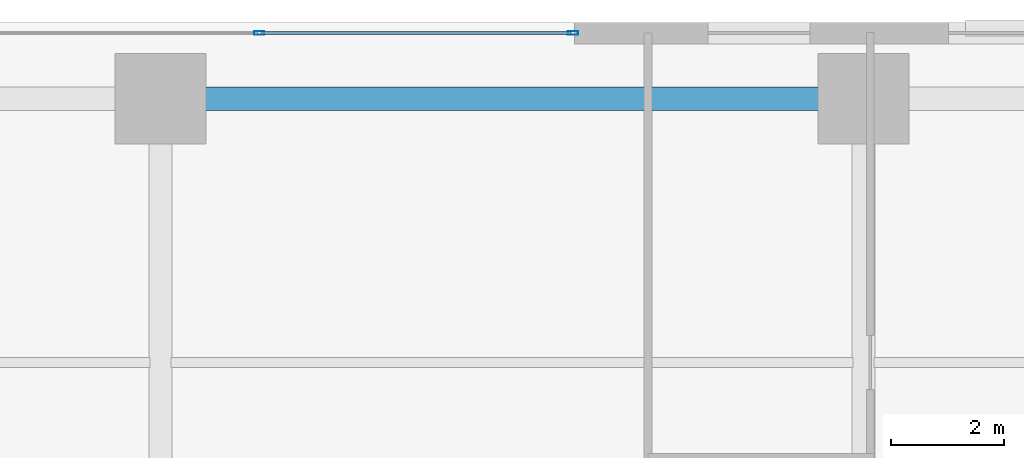
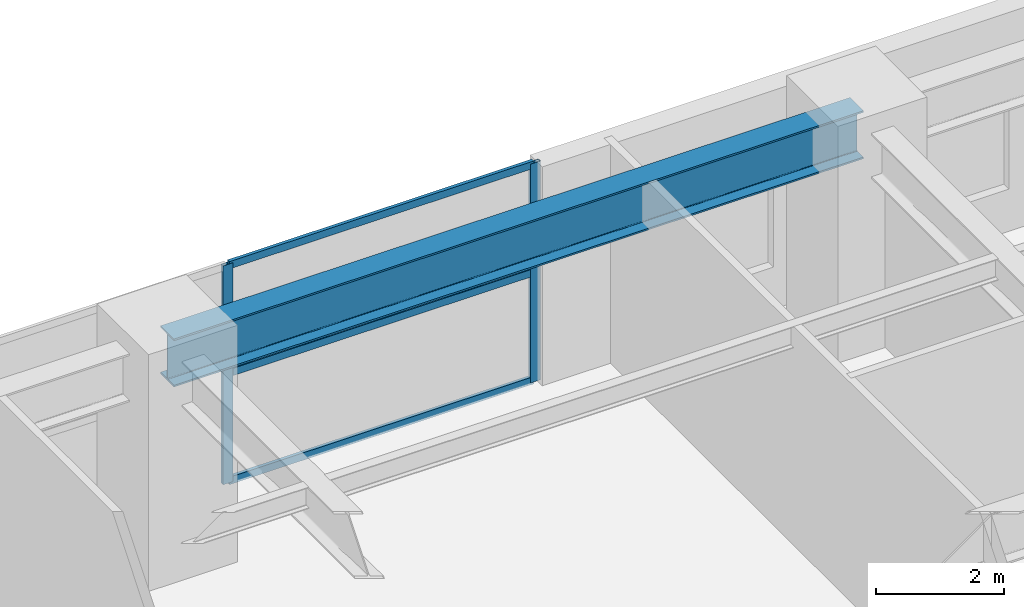
# One storey, part 8 of 26: 5 members, 1 beam, 1 element without a shape of its own.
"""IFC4 building model written with IfcOpenShell, lengths in metres."""

import ifcopenshell
import ifcopenshell.guid

model = None  # the IFC model being written
_history = None  # IfcOwnerHistory: only IFC2X3 demands one
_inside = {}  # id of a spatial element -> (the spatial element, [elements in it])
_under = {}  # id of a project, library or spatial element -> (it, [spatial elements below it])
_declared = {}  # id of a project -> (the project, [libraries it declares])
_typed = {}  # id of a type object -> (the type object, [elements of that type])
_made_of = {}  # id of a material, layer set ... -> (it, [elements and type objects made of it])


def new_model(schema):
    """Start an empty IFC model of exactly this schema.

    Asked for "IFC4X3", IfcOpenShell would pick the latest addendum, in which some entities
    have other attributes; the version numbers below select the first issue.
    IFC2X3 requires an IfcOwnerHistory on every rooted entity: one is made here for all.
    """
    global model, _history
    if schema == "IFC4X3":
        model = ifcopenshell.file(schema_version=(4, 3, 0, 0))
    else:
        model = ifcopenshell.file(schema=schema)
    _inside.clear()
    _under.clear()
    _declared.clear()
    _typed.clear()
    _made_of.clear()
    _history = None
    if model.schema == "IFC2X3":
        org = make("IfcOrganization", Name="unknown")
        user = make(
            "IfcPersonAndOrganization",
            ThePerson=make("IfcPerson", FamilyName="unknown"),
            TheOrganization=org,
        )
        app = make(
            "IfcApplication",
            ApplicationDeveloper=org,
            Version="unknown",
            ApplicationFullName="unknown",
            ApplicationIdentifier="unknown",
        )
        _history = make(
            "IfcOwnerHistory",
            OwningUser=user,
            OwningApplication=app,
            ChangeAction="ADDED",
            CreationDate=0,
        )
    return model


def make(cls, **values):
    """One entity of the class cls with the attributes given. An attribute that is None is left unset."""
    return model.create_entity(
        cls, **{name: value for name, value in values.items() if value is not None}
    )


def rooted(cls, **values):
    """An entity with a GlobalId (a new one), such as an element, a storey or a relation."""
    return make(cls, GlobalId=ifcopenshell.guid.new(), OwnerHistory=_history, **values)


def si_unit(unit_type, name, prefix=None):
    """IfcSIUnit, for example si_unit("LENGTHUNIT", "METRE", prefix="MILLI")."""
    return make("IfcSIUnit", UnitType=unit_type, Prefix=prefix, Name=name)


def assignment(units):
    """IfcUnitAssignment: the units of a project."""
    return None if units is None else make("IfcUnitAssignment", Units=units)


def point(xyz):
    """IfcCartesianPoint."""
    return None if xyz is None else make("IfcCartesianPoint", Coordinates=xyz)


def direction(xyz):
    """IfcDirection."""
    return None if xyz is None else make("IfcDirection", DirectionRatios=xyz)


def frame(location, z_axis=None, x_axis=None):
    """IfcAxis2Placement3D, a coordinate frame: its origin and axes. An axis left out is left unset."""
    return make(
        "IfcAxis2Placement3D",
        Location=point(location),
        Axis=direction(z_axis),
        RefDirection=direction(x_axis),
    )


def frame_2d(location, x_axis=None):
    """IfcAxis2Placement2D, a coordinate frame in the plane: its origin and x axis."""
    return make(
        "IfcAxis2Placement2D", Location=point(location), RefDirection=direction(x_axis)
    )


def origin():
    """The frame at (0, 0, 0) with its axes left unset."""
    return frame((0.0, 0.0, 0.0))


def origin_2d():
    """The frame at (0, 0) in the plane with its x axis left unset."""
    return frame_2d((0.0, 0.0))


def place(relative_to, where):
    """IfcLocalPlacement: puts the frame where relative to a parent placement (None: the world)."""
    return make(
        "IfcLocalPlacement", PlacementRelTo=relative_to, RelativePlacement=where
    )


def context(
    kind, dimensions, precision=None, world=None, true_north=None, identifier=None
):
    """IfcGeometricRepresentationContext, for example the 3D "Model" context."""
    return make(
        "IfcGeometricRepresentationContext",
        ContextIdentifier=identifier,
        ContextType=kind,
        CoordinateSpaceDimension=dimensions,
        Precision=precision,
        WorldCoordinateSystem=world,
        TrueNorth=true_north,
    )


def subcontext(parent, identifier, kind, view, scale=None):
    """IfcGeometricRepresentationSubContext, for example "Body" below "Model"."""
    return make(
        "IfcGeometricRepresentationSubContext",
        ContextIdentifier=identifier,
        ContextType=kind,
        ParentContext=parent,
        TargetScale=scale,
        TargetView=view,
    )


def project(units=None, contexts=None):
    """IfcProject with its units and contexts."""
    return rooted(
        "IfcProject",
        Name="project",
        RepresentationContexts=contexts,
        UnitsInContext=assignment(units),
    )


def spatial(cls, under=None, at=None, **own):
    """A site, building, storey or space (cls), placed at a placement, below another one or the project."""
    s = rooted(cls, ObjectPlacement=at, **own)
    if under is not None:
        _under.setdefault(under.id(), (under, []))[1].append(s)
    return s


def profile(cls, at=None, kind="AREA", **sizes):
    """A parametric profile (cls). Its sizes go by their IFC names, for example OverallWidth=200.0."""
    return make(cls, ProfileType=kind, Position=at, **sizes)


def hollow_rectangle(**sizes):
    """IfcRectangleHollowProfileDef."""
    return profile("IfcRectangleHollowProfileDef", **sizes)


def i_section(**sizes):
    """IfcIShapeProfileDef."""
    return profile("IfcIShapeProfileDef", **sizes)


def extrude(swept, where, along, depth):
    """IfcExtrudedAreaSolid: the profile swept, set in the frame where, extruded along a direction by depth."""
    return make(
        "IfcExtrudedAreaSolid",
        SweptArea=swept,
        Position=where,
        ExtrudedDirection=direction(along),
        Depth=depth,
    )


def shape(context_of_items, identifier, shape_type, items):
    """IfcShapeRepresentation: the items that make up one representation, for example the "Body"."""
    return make(
        "IfcShapeRepresentation",
        ContextOfItems=context_of_items,
        RepresentationIdentifier=identifier,
        RepresentationType=shape_type,
        Items=items,
    )


def source(mapping_origin, context_of_items, identifier, shape_type, items):
    """IfcRepresentationMap: a shape defined once, which mapped items show again and again."""
    return make(
        "IfcRepresentationMap",
        MappingOrigin=mapping_origin,
        MappedRepresentation=shape(context_of_items, identifier, shape_type, items),
    )


def transform(
    local_origin,
    x_axis=None,
    y_axis=None,
    z_axis=None,
    scale=None,
    scale2=None,
    scale3=None,
    uniform=True,
):
    """IfcCartesianTransformationOperator3D, or its non-uniform kind. x_axis, y_axis, z_axis: its Axis1, 2, 3."""
    if uniform:
        return make(
            "IfcCartesianTransformationOperator3D",
            Axis1=direction(x_axis),
            Axis2=direction(y_axis),
            LocalOrigin=point(local_origin),
            Scale=scale,
            Axis3=direction(z_axis),
        )
    return make(
        "IfcCartesianTransformationOperator3DnonUniform",
        Axis1=direction(x_axis),
        Axis2=direction(y_axis),
        LocalOrigin=point(local_origin),
        Scale=scale,
        Axis3=direction(z_axis),
        Scale2=scale2,
        Scale3=scale3,
    )


def mapped(mapping_source, mapping_target):
    """IfcMappedItem: shows the shape of a source again, moved by a transform."""
    return make(
        "IfcMappedItem", MappingSource=mapping_source, MappingTarget=mapping_target
    )


def material(Name=None, Category=None):
    """IfcMaterial."""
    return make("IfcMaterial", Name=Name, Category=Category)


def layer(
    of_material, thickness, ventilated=None, Name=None, Category=None, Priority=None
):
    """IfcMaterialLayer: one layer of a wall or slab, of a material (None: an air gap)."""
    return make(
        "IfcMaterialLayer",
        Material=of_material,
        LayerThickness=thickness,
        IsVentilated=ventilated,
        Name=Name,
        Category=Category,
        Priority=Priority,
    )


def layer_set(layers, Name=None):
    """IfcMaterialLayerSet."""
    return make("IfcMaterialLayerSet", MaterialLayers=layers, LayerSetName=Name)


def material_profile(
    of_material, cross_section, Name=None, Category=None, Priority=None
):
    """IfcMaterialProfile: a cross section and its material."""
    return make(
        "IfcMaterialProfile",
        Name=Name,
        Material=of_material,
        Profile=cross_section,
        Priority=Priority,
        Category=Category,
    )


def profile_set(profiles, Name=None, composite=None):
    """IfcMaterialProfileSet."""
    return make(
        "IfcMaterialProfileSet",
        Name=Name,
        MaterialProfiles=profiles,
        CompositeProfile=composite,
    )


def made_of(thing, what):
    """Note that an element or type object is made of a material, layer set ...; save() writes the relation."""
    if what is not None:
        _made_of.setdefault(what.id(), (what, []))[1].append(thing)
    return thing


def type_object(cls, material=None, **own):
    """A type object (cls), such as IfcWallType, which elements share."""
    return made_of(rooted(cls, **own), material)


def element(
    cls,
    number,
    at=None,
    inside=None,
    cuts=None,
    type_object=None,
    material=None,
    context=None,
    identifier="Body",
    shape_type=None,
    held_by="IfcProductDefinitionShape",
    body=None,
    shapes=None,
    **own,
):
    """One element of the class cls, such as IfcWall. Its Tag is "e" and its number.

    at: its placement. inside: the storey or other place that contains it. cuts: it is an
    opening in that element (IfcRelVoidsElement). A single representation is given by context,
    identifier, shape_type and body (its items); several are given by shapes. held_by: the class
    of the entity that holds the representations. save() writes the other relations.
    """
    e = rooted(cls, Tag="e%d" % number, ObjectPlacement=at, **own)
    if body is not None:
        shapes = [shape(context, identifier, shape_type, body)]
    if shapes is not None:
        e.Representation = make(held_by, Representations=shapes)
    if inside is not None:
        _inside.setdefault(inside.id(), (inside, []))[1].append(e)
    if cuts is not None:
        rooted(
            "IfcRelVoidsElement", RelatingBuildingElement=cuts, RelatedOpeningElement=e
        )
    if type_object is not None:
        _typed.setdefault(type_object.id(), (type_object, []))[1].append(e)
    return made_of(e, material)


def aggregate(whole, parts):
    """IfcRelAggregates: a whole, such as a stair, and the parts it consists of."""
    return rooted("IfcRelAggregates", RelatingObject=whole, RelatedObjects=parts)


def save(model, path):
    """Write the relations noted so far, then the file.

    IfcRelAggregates (storeys below a building ...), IfcRelContainedInSpatialStructure (elements
    in a storey), IfcRelDefinesByType, IfcRelAssociatesMaterial and IfcRelDeclares: one each for
    every whole, place, type object, material and project.
    """
    for whole, parts in _under.values():
        aggregate(whole, parts)
    for where, things in _inside.values():
        rooted(
            "IfcRelContainedInSpatialStructure",
            RelatedElements=things,
            RelatingStructure=where,
        )
    for kind, things in _typed.values():
        rooted("IfcRelDefinesByType", RelatedObjects=things, RelatingType=kind)
    for what, things in _made_of.values():
        rooted("IfcRelAssociatesMaterial", RelatedObjects=things, RelatingMaterial=what)
    for by, libraries in _declared.values():
        rooted("IfcRelDeclares", RelatingContext=by, RelatedDefinitions=libraries)
    model.write(path)


model = new_model("IFC4")

# Units and contexts
model_context = context("Model", 3, precision=1e-05, world=origin(), true_north=direction((0.0, 1.0)))
body_context = subcontext(model_context, "Body", "Model", "MODEL_VIEW")
ifc_project = project(units=[si_unit("LENGTHUNIT", "METRE"), si_unit("AREAUNIT", "SQUARE_METRE"), si_unit("VOLUMEUNIT", "CUBIC_METRE"), si_unit("PLANEANGLEUNIT", "RADIAN"), si_unit("MASSUNIT", "GRAM", prefix="KILO")], contexts=[model_context])

# Site, building, storey
site_placement = place(None, origin())
site = spatial("IfcSite", under=ifc_project, at=site_placement, CompositionType="ELEMENT")
building_placement = place(site_placement, origin())
building = spatial("IfcBuilding", under=site, at=building_placement, Name="Khoralis Quay Care Tower", CompositionType="ELEMENT")
storey_placement = place(building_placement, frame((0.0, 0.0, 4.5)))
storey = spatial("IfcBuildingStorey", under=building, at=storey_placement, Name="L01", CompositionType="ELEMENT", Elevation=4.5)

# Beam
ifc_material_1 = material(Name="Steel S355", Category="steel")
ifc_material_profile_1 = material_profile(ifc_material_1, i_section(OverallWidth=0.41796875, OverallDepth=0.912109375, WebThickness=0.019287109375, FlangeThickness=0.031982421875, FilletRadius=0.02392578125, at=origin_2d()), Name="Steel S355")
ifc_profile_set_1 = profile_set([ifc_material_profile_1], Name="Steel S355")
beam_type = type_object("IfcBeamType", Name="BM-W920X342", PredefinedType="BEAM", material=ifc_profile_set_1)
shared_shape_1 = source(origin(), body_context, "Body", "SweptSolid", [
    extrude(i_section(OverallWidth=0.41796875, OverallDepth=0.912109375, WebThickness=0.019287109375, FlangeThickness=0.031982421875, FilletRadius=0.02392578125, at=origin_2d()), origin(), (0.0, 0.0, 1.0), 12.39990234375),
])
beam_placement = place(storey_placement, frame((34.60009765625, 46.64990234375, 3.7041015625), z_axis=(1.0, 0.0, 0.0), x_axis=(0.0, 1.0, 0.0)))
element("IfcBeam", 1, at=beam_placement, inside=storey, type_object=beam_type, Name="BM-PODX-L01-22", PredefinedType="BEAM", context=body_context, shape_type="MappedRepresentation", body=[
    mapped(shared_shape_1, transform((0.0, 0.0, 0.0), scale=1.0)),
])

# Curtain wall, members
ifc_material_2 = material(Name="Pale anodised aluminium", Category="aluminium")
ifc_layer = layer(ifc_material_2, 0.179931640625)
ifc_layer_set = layer_set([ifc_layer], Name="Pale anodised aluminium")
curtain_wall_type = type_object("IfcCurtainWallType", Name="CW-SYS-Z1", PredefinedType="NOTDEFINED", material=ifc_layer_set)
curtain_wall_placement = place(storey_placement, origin())
curtain_wall = element("IfcCurtainWall", 2, at=curtain_wall_placement, inside=storey, type_object=curtain_wall_type, Name="L01 Unitised Curtain Wall CW-POD-L01-E4", PredefinedType="NOTDEFINED")
ifc_material_profile_2 = material_profile(ifc_material_2, hollow_rectangle(XDim=0.06494140625, YDim=0.179931640625, WallThickness=0.00390625, at=origin_2d()), Name="Pale anodised aluminium")
ifc_profile_set_2 = profile_set([ifc_material_profile_2], Name="Pale anodised aluminium")
member_type_1 = type_object("IfcMemberType", Name="CW-MUL-180", PredefinedType="MULLION", material=ifc_profile_set_2)
shared_shape_2 = source(origin(), body_context, "Body", "SweptSolid", [
    extrude(hollow_rectangle(XDim=0.06494140625, YDim=0.179931640625, WallThickness=0.00390625, at=origin_2d()), origin(), (0.0, 0.0, 1.0), 4.159912109375),
])
member_1_placement = place(storey_placement, frame((41.875, 47.81005859375, 0.0), z_axis=(0.0, 0.0, 1.0), x_axis=(0.0, -1.0, 0.0)))
member_1 = element("IfcMember", 3, at=member_1_placement, type_object=member_type_1, Name="CW1 mullion 1", PredefinedType="MULLION", context=body_context, shape_type="MappedRepresentation", body=[
    mapped(shared_shape_2, transform((0.0, 0.0, 0.0), scale=1.0)),
])
member_2_placement = place(storey_placement, frame((36.343017578125, 47.81005859375, 0.0), z_axis=(0.0, 0.0, 1.0), x_axis=(0.0, -1.0, 0.0)))
member_2 = element("IfcMember", 4, at=member_2_placement, type_object=member_type_1, Name="CW1 mullion 2", PredefinedType="MULLION", context=body_context, shape_type="MappedRepresentation", body=[
    mapped(shared_shape_2, transform((0.0, 0.0, 0.0), scale=1.0)),
])
ifc_material_profile_3 = material_profile(ifc_material_2, hollow_rectangle(XDim=0.06005859375, YDim=0.139892578125, WallThickness=0.00390625, at=origin_2d()), Name="Pale anodised aluminium")
ifc_profile_set_3 = profile_set([ifc_material_profile_3], Name="Pale anodised aluminium")
member_type_2 = type_object("IfcMemberType", Name="CW-TRN-140", PredefinedType="USERDEFINED", material=ifc_profile_set_3)
shared_shape_3 = source(origin(), body_context, "Body", "SweptSolid", [
    extrude(hollow_rectangle(XDim=0.06005859375, YDim=0.139892578125, WallThickness=0.00390625, at=origin_2d()), origin(), (0.0, 0.0, 1.0), 5.471923828125),
])
member_3_placement = place(storey_placement, frame((41.844970703125, 47.81005859375, 0.030029296875), z_axis=(-1.0, 0.0, 0.0), x_axis=(0.0, -1.0, 0.0)))
member_3 = element("IfcMember", 5, at=member_3_placement, type_object=member_type_2, Name="CW1 transom 1.1", ObjectType="TRANSOM", PredefinedType="USERDEFINED", context=body_context, shape_type="MappedRepresentation", body=[
    mapped(shared_shape_3, transform((0.0, 0.0, 0.0), scale=1.0)),
])
member_4_placement = place(storey_placement, frame((41.844970703125, 47.81005859375, 2.080078125), z_axis=(-1.0, 0.0, 0.0), x_axis=(0.0, -1.0, 0.0)))
member_4 = element("IfcMember", 6, at=member_4_placement, type_object=member_type_2, Name="CW1 transom 1.2", ObjectType="TRANSOM", PredefinedType="USERDEFINED", context=body_context, shape_type="MappedRepresentation", body=[
    mapped(shared_shape_3, transform((0.0, 0.0, 0.0), scale=1.0)),
])
member_5_placement = place(storey_placement, frame((41.844970703125, 47.81005859375, 4.1298828125), z_axis=(-1.0, 0.0, 0.0), x_axis=(0.0, -1.0, 0.0)))
member_5 = element("IfcMember", 7, at=member_5_placement, type_object=member_type_2, Name="CW1 transom 1.3", ObjectType="TRANSOM", PredefinedType="USERDEFINED", context=body_context, shape_type="MappedRepresentation", body=[
    mapped(shared_shape_3, transform((0.0, 0.0, 0.0), scale=1.0)),
])
aggregate(curtain_wall, [member_1, member_2, member_3, member_4, member_5])

save(model, "model.ifc")
